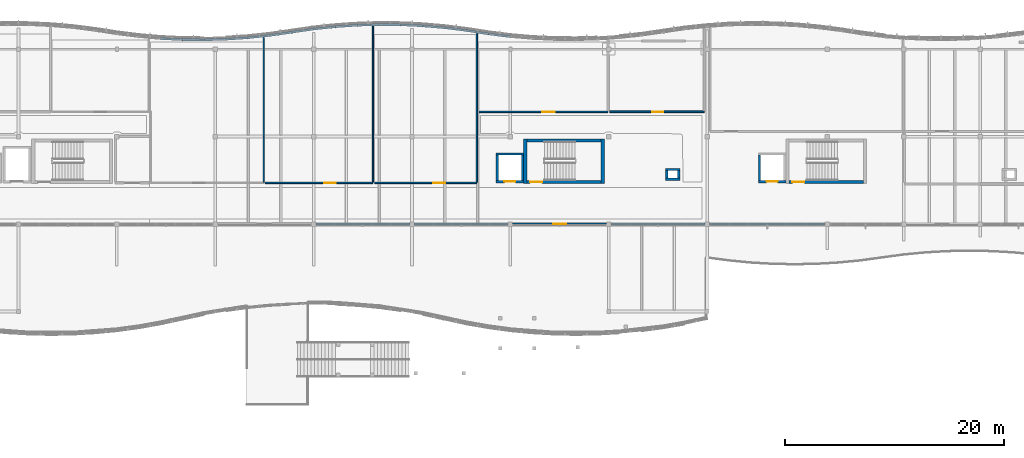
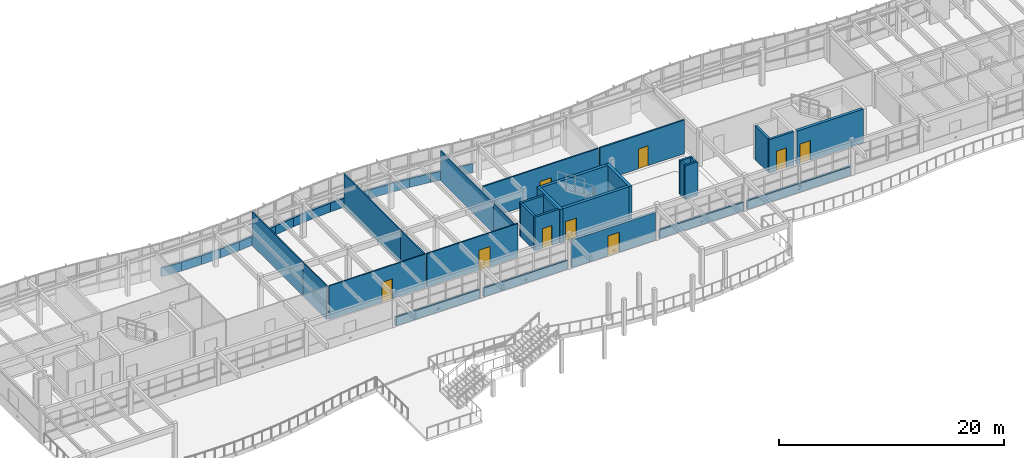
# One storey, part 41 of 63: 46 walls, 9 doors, 9 openings.
"""IFC4 building model written with IfcOpenShell, lengths in metres."""

from ifc_helpers import new_model, si_unit, direction, frame, frame_2d, origin, place, context, subcontext, project, spatial, rectangle, extrude, material, layer, layer_set, type_object, element, fill, save


model = new_model("IFC4")

# Units and contexts
model_context = context("Model", 3, precision=1e-05, world=origin(), true_north=direction((0.0, 1.0)))
body_context = subcontext(model_context, "Body", "Model", "MODEL_VIEW")
ifc_project = project(units=[si_unit("LENGTHUNIT", "METRE"), si_unit("AREAUNIT", "SQUARE_METRE"), si_unit("VOLUMEUNIT", "CUBIC_METRE"), si_unit("PLANEANGLEUNIT", "RADIAN"), si_unit("MASSUNIT", "GRAM", prefix="KILO")], contexts=[model_context])

# Site, building, storey
site_placement = place(None, origin())
site = spatial("IfcSite", under=ifc_project, at=site_placement, CompositionType="ELEMENT")
building_placement = place(site_placement, origin())
building = spatial("IfcBuilding", under=site, at=building_placement, Name="Tonlespit Floodbar School", CompositionType="ELEMENT")
storey_placement = place(building_placement, frame((0.0, 0.0, 8.39990234375)))
storey = spatial("IfcBuildingStorey", under=building, at=storey_placement, Name="L02", CompositionType="ELEMENT", Elevation=8.39990234375)

# Walls
ifc_material_1 = material(Name="Concrete C40/50", Category="concrete")
ifc_layer_1 = layer(ifc_material_1, 0.300048828125)
ifc_layer_set_1 = layer_set([ifc_layer_1], Name="Concrete C40/50")
wall_type_1 = type_object("IfcWallType", Name="CoreWall_RC_300", PredefinedType="SHEAR", material=ifc_layer_set_1)
for number, where, z_axis, x_axis, name in (
    (1, (99.35009765625, 107.699951171875, 0.0), (0.0, 0.0, 1.0), (0.0, 1.0, 0.0), "L02 core C2 shear wall NEAR"),
    (2, (106.449951171875, 111.800048828125, 0.0), (0.0, 0.0, 1.0), (0.0, -1.0, 0.0), "L02 core C2 shear wall FAR"),
):
    element("IfcWall", number, at=place(storey_placement, frame(where, z_axis=z_axis, x_axis=x_axis)), inside=storey, type_object=wall_type_1, Name=name, PredefinedType="SHEAR", context=body_context, shape_type="SweptSolid", body=[
        extrude(rectangle(XDim=4.10009765625, YDim=0.300048828125, at=frame_2d((2.050048828125, 0.0))), origin(), (0.0, 0.0, 1.0), 3.650146484375),
    ])

# Wall, opening, door
wall_1_placement = place(storey_placement, frame((99.5, 107.85009765625, 0.0), z_axis=(0.0, 0.0, 1.0), x_axis=(1.0, 0.0, 0.0)))
wall_1 = element("IfcWall", 3, at=wall_1_placement, inside=storey, type_object=wall_type_1, Name="L02 core C2 shear wall LEFT", PredefinedType="SHEAR", context=body_context, shape_type="SweptSolid", body=[
    extrude(rectangle(XDim=6.800048828125, YDim=0.300048828125, at=frame_2d((3.39990234375, 0.0))), origin(), (0.0, 0.0, 1.0), 3.650146484375),
])
opening_1_placement = place(wall_1_placement, frame((0.300048828125, 0.0, 0.0)))
opening_1 = element("IfcOpeningElement", 4, at=opening_1_placement, cuts=wall_1, Name="Opening FD1-C2-L02", PredefinedType="OPENING", context=body_context, shape_type="SweptSolid", body=[
    extrude(rectangle(XDim=1.10009765625, YDim=2.14990234375, at=frame_2d((0.550048828125, 1.074951171875))), frame((0.0, 0.159912109375, 0.0), z_axis=(0.0, -1.0, 0.0), x_axis=(1.0, 0.0, 0.0)), (0.0, 0.0, 1.0), 0.320068359375),
])
ifc_material_2 = material(Name="Galvanised Steel", Category="steel")
door_type_1 = type_object("IfcDoorType", Name="FireDoor_Stair_1100x2150", OperationType="NOTDEFINED", PredefinedType="DOOR", material=ifc_material_2)
door_1_placement = place(opening_1_placement, origin())
door_1 = element("IfcDoor", 5, at=door_1_placement, inside=storey, type_object=door_type_1, Name="L02 stair ST-C2 fire door", OperationType="SINGLE_SWING_LEFT", OverallHeight=2.14990234375, OverallWidth=1.10009765625, PredefinedType="DOOR", context=body_context, shape_type="SweptSolid", body=[
    extrude(rectangle(XDim=1.10009765625, YDim=2.14990234375, at=frame_2d((0.550048828125, 1.074951171875))), frame((0.0, 0.02490234375, 0.0), z_axis=(0.0, -1.0, 0.0), x_axis=(1.0, 0.0, 0.0)), (0.0, 0.0, 1.0), 0.050048828125),
])
fill(opening_1, door_1)

# Wall
wall_2_placement = place(storey_placement, frame((106.300048828125, 111.64990234375, 0.0), z_axis=(0.0, 0.0, 1.0), x_axis=(-1.0, 0.0, 0.0)))
element("IfcWall", 6, at=wall_2_placement, inside=storey, type_object=wall_type_1, Name="L02 core C2 shear wall RGHT", PredefinedType="SHEAR", context=body_context, shape_type="SweptSolid", body=[
    extrude(rectangle(XDim=6.800048828125, YDim=0.300048828125, at=frame_2d((3.39990234375, 0.0))), origin(), (0.0, 0.0, 1.0), 3.650146484375),
])

# Wall, opening, door
wall_3_placement = place(storey_placement, frame((123.5, 107.85009765625, 0.0), z_axis=(0.0, 0.0, 1.0), x_axis=(1.0, 0.0, 0.0)))
wall_3 = element("IfcWall", 7, at=wall_3_placement, inside=storey, type_object=wall_type_1, Name="L02 core C4 shear wall LEFT", PredefinedType="SHEAR", context=body_context, shape_type="SweptSolid", body=[
    extrude(rectangle(XDim=6.800048828125, YDim=0.300048828125, at=frame_2d((3.39990234375, 0.0))), origin(), (0.0, 0.0, 1.0), 3.650146484375),
])
opening_2_placement = place(wall_3_placement, frame((0.300048828125, 0.0, 0.0)))
opening_2 = element("IfcOpeningElement", 8, at=opening_2_placement, cuts=wall_3, Name="Opening FD1-C4-L02", PredefinedType="OPENING", context=body_context, shape_type="SweptSolid", body=[
    extrude(rectangle(XDim=1.10009765625, YDim=2.14990234375, at=frame_2d((0.550048828125, 1.074951171875))), frame((0.0, 0.159912109375, 0.0), z_axis=(0.0, -1.0, 0.0), x_axis=(1.0, 0.0, 0.0)), (0.0, 0.0, 1.0), 0.320068359375),
])
door_2_placement = place(opening_2_placement, origin())
door_2 = element("IfcDoor", 9, at=door_2_placement, inside=storey, type_object=door_type_1, Name="L02 stair ST-C4 fire door", OperationType="SINGLE_SWING_LEFT", OverallHeight=2.14990234375, OverallWidth=1.10009765625, PredefinedType="DOOR", context=body_context, shape_type="SweptSolid", body=[
    extrude(rectangle(XDim=1.10009765625, YDim=2.14990234375, at=frame_2d((0.550048828125, 1.074951171875))), frame((0.0, 0.02490234375, 0.0), z_axis=(0.0, -1.0, 0.0), x_axis=(1.0, 0.0, 0.0)), (0.0, 0.0, 1.0), 0.050048828125),
])
fill(opening_2, door_2)

ifc_material_3 = material(Name="Precast concrete C40/50", Category="concrete")
ifc_layer_2 = layer(ifc_material_3, 0.239990234375)
ifc_layer_set_2 = layer_set([ifc_layer_2], Name="Precast concrete C40/50")
wall_type_2 = type_object("IfcWallType", Name="ExtWall_Rainscreen_240", PredefinedType="SOLIDWALL", material=ifc_layer_set_2)
wall_4_placement = place(storey_placement, frame((106.800048828125, 104.0, 0.0), z_axis=(0.0, 0.0, 1.0), x_axis=(-1.0, 0.0, 0.0)))
wall_4 = element("IfcWall", 10, at=wall_4_placement, inside=storey, type_object=wall_type_2, Name="L02 external wall 0132", PredefinedType="SOLIDWALL", context=body_context, shape_type="SweptSolid", body=[
    extrude(rectangle(XDim=8.60009765625, YDim=0.239990234375, at=frame_2d((4.300048828125, 0.0))), origin(), (0.0, 0.0, 1.0), 3.008056640625),
])
opening_3_placement = place(wall_4_placement, frame((3.699951171875, 0.0, 0.0)))
opening_3 = element("IfcOpeningElement", 11, at=opening_3_placement, cuts=wall_4, Name="Opening D-TR-006", PredefinedType="OPENING", context=body_context, shape_type="SweptSolid", body=[
    extrude(rectangle(XDim=1.199951171875, YDim=2.14990234375, at=frame_2d((0.60009765625, 1.074951171875))), frame((0.0, 0.1298828125, 0.0), z_axis=(0.0, -1.0, 0.0), x_axis=(1.0, 0.0, 0.0)), (0.0, 0.0, 1.0), 0.260009765625),
])
ifc_material_4 = material(Name="Anodised Aluminium", Category="aluminium")
door_type_2 = type_object("IfcDoorType", Name="ExtDoor_Terrace_1200x2150", OperationType="NOTDEFINED", PredefinedType="DOOR", material=ifc_material_4)
door_3_placement = place(opening_3_placement, origin())
door_3 = element("IfcDoor", 12, at=door_3_placement, inside=storey, type_object=door_type_2, Name="L02 exterior door D-TR-006", OperationType="SINGLE_SWING_RIGHT", OverallHeight=2.14990234375, OverallWidth=1.199951171875, PredefinedType="DOOR", context=body_context, shape_type="SweptSolid", body=[
    extrude(rectangle(XDim=1.199951171875, YDim=2.14990234375, at=frame_2d((0.60009765625, 1.074951171875))), frame((0.0, 0.02490234375, 0.0), z_axis=(0.0, -1.0, 0.0), x_axis=(1.0, 0.0, 0.0)), (0.0, 0.0, 1.0), 0.050048828125),
])
fill(opening_3, door_3)

# Walls
ifc_material_5 = material(Name="White Architectural Precast concrete C40/50", Category="concrete")
ifc_layer_3 = layer(ifc_material_5, 0.199951171875)
ifc_layer_set_3 = layer_set([ifc_layer_3], Name="White Architectural Precast concrete C40/50")
wall_type_3 = type_object("IfcWallType", Name="ExtWall_Spandrel_White_200", PredefinedType="SOLIDWALL", material=ifc_layer_set_3)
wall_5_placement = place(storey_placement, frame((66.0, 120.968505859375, 0.0), z_axis=(0.0, 0.0, 1.0), x_axis=(0.99884540439, -0.048040172037, 0.0)))
element("IfcWall", 13, at=wall_5_placement, inside=storey, type_object=wall_type_3, Name="L02 spandrel wall 0106", PredefinedType="SOLIDWALL", context=body_context, shape_type="SweptSolid", body=[
    extrude(rectangle(XDim=2.002197265625, YDim=0.199951171875, at=frame_2d((1.0009765625, 0.0))), origin(), (0.0, 0.0, 1.0), 0.9501953125),
])
wall_6_placement = place(storey_placement, frame((68.0, 120.872314453125, 0.0), z_axis=(0.0, 0.0, 1.0), x_axis=(0.999953504169, -0.009643106302, 0.0)))
element("IfcWall", 14, at=wall_6_placement, inside=storey, type_object=wall_type_3, Name="L02 spandrel wall 0107", PredefinedType="SOLIDWALL", context=body_context, shape_type="SweptSolid", body=[
    extrude(rectangle(XDim=2.0, YDim=0.199951171875, at=frame_2d((1.0, 0.0))), origin(), (0.0, 0.0, 1.0), 0.9501953125),
])
wall_7_placement = place(storey_placement, frame((70.0, 120.85302734375, 0.0), z_axis=(0.0, 0.0, 1.0), x_axis=(0.999585290582, 0.028796646555, 0.0)))
element("IfcWall", 15, at=wall_7_placement, inside=storey, type_object=wall_type_3, Name="L02 spandrel wall 0108", PredefinedType="SOLIDWALL", context=body_context, shape_type="SweptSolid", body=[
    extrude(rectangle(XDim=2.000732421875, YDim=0.199951171875, at=frame_2d((1.00048828125, 0.0))), origin(), (0.0, 0.0, 1.0), 0.9501953125),
])
wall_8_placement = place(storey_placement, frame((72.0, 120.91064453125, 0.0), z_axis=(0.0, 0.0, 1.0), x_axis=(0.997729302978, 0.067351599676, 0.0)))
element("IfcWall", 16, at=wall_8_placement, inside=storey, type_object=wall_type_3, Name="L02 spandrel wall 0109", PredefinedType="SOLIDWALL", context=body_context, shape_type="SweptSolid", body=[
    extrude(rectangle(XDim=2.004638671875, YDim=0.199951171875, at=frame_2d((1.00244140625, 0.0))), origin(), (0.0, 0.0, 1.0), 0.9501953125),
])
wall_9_placement = place(storey_placement, frame((74.0, 121.045654296875, 0.0), z_axis=(0.0, 0.0, 1.0), x_axis=(0.994395160059, 0.105727317433, 0.0)))
element("IfcWall", 17, at=wall_9_placement, inside=storey, type_object=wall_type_3, Name="L02 spandrel wall 0110", PredefinedType="SOLIDWALL", context=body_context, shape_type="SweptSolid", body=[
    extrude(rectangle(XDim=2.01123046875, YDim=0.199951171875, at=frame_2d((1.005615234375, 0.0))), origin(), (0.0, 0.0, 1.0), 0.9501953125),
])
for number, where, z_axis, x_axis, name in (
    (18, (76.0, 121.25830078125, 0.0), (0.0, 0.0, 1.0), (0.989527230727, 0.144346318447, 0.0), "L02 spandrel wall 0111"),
    (19, (78.0, 121.550048828125, 0.0), (0.0, 0.0, 1.0), (0.989544477223, 0.144228040259, 0.0), "L02 spandrel wall 0112"),
):
    element("IfcWall", number, at=place(storey_placement, frame(where, z_axis=z_axis, x_axis=x_axis)), inside=storey, type_object=wall_type_3, Name=name, PredefinedType="SOLIDWALL", context=body_context, shape_type="SweptSolid", body=[
        extrude(rectangle(XDim=2.021240234375, YDim=0.199951171875, at=frame_2d((1.0107421875, 0.0))), origin(), (0.0, 0.0, 1.0), 0.9501953125),
    ])
wall_10_placement = place(storey_placement, frame((80.0, 121.841552734375, 0.0), z_axis=(0.0, 0.0, 1.0), x_axis=(0.994395160059, 0.105727317433, 0.0)))
element("IfcWall", 20, at=wall_10_placement, inside=storey, type_object=wall_type_3, Name="L02 spandrel wall 0113", PredefinedType="SOLIDWALL", context=body_context, shape_type="SweptSolid", body=[
    extrude(rectangle(XDim=2.01123046875, YDim=0.199951171875, at=frame_2d((1.005615234375, 0.0))), origin(), (0.0, 0.0, 1.0), 0.9501953125),
])
wall_11_placement = place(storey_placement, frame((82.0, 122.05419921875, 0.0), z_axis=(0.0, 0.0, 1.0), x_axis=(0.997729302978, 0.067351599676, 0.0)))
element("IfcWall", 21, at=wall_11_placement, inside=storey, type_object=wall_type_3, Name="L02 spandrel wall 0114", PredefinedType="SOLIDWALL", context=body_context, shape_type="SweptSolid", body=[
    extrude(rectangle(XDim=2.004638671875, YDim=0.199951171875, at=frame_2d((1.00244140625, 0.0))), origin(), (0.0, 0.0, 1.0), 0.9501953125),
])
wall_12_placement = place(storey_placement, frame((84.0, 122.189208984375, 0.0), z_axis=(0.0, 0.0, 1.0), x_axis=(0.999581770858, 0.028918564416, 0.0)))
element("IfcWall", 22, at=wall_12_placement, inside=storey, type_object=wall_type_3, Name="L02 spandrel wall 0115", PredefinedType="SOLIDWALL", context=body_context, shape_type="SweptSolid", body=[
    extrude(rectangle(XDim=2.000732421875, YDim=0.199951171875, at=frame_2d((1.00048828125, 0.0))), origin(), (0.0, 0.0, 1.0), 0.9501953125),
])
wall_13_placement = place(storey_placement, frame((86.0, 122.2470703125, 0.0), z_axis=(0.0, 0.0, 1.0), x_axis=(0.999953504169, -0.009643106302, 0.0)))
element("IfcWall", 23, at=wall_13_placement, inside=storey, type_object=wall_type_3, Name="L02 spandrel wall 0116", PredefinedType="SOLIDWALL", context=body_context, shape_type="SweptSolid", body=[
    extrude(rectangle(XDim=2.0, YDim=0.199951171875, at=frame_2d((1.0, 0.0))), origin(), (0.0, 0.0, 1.0), 0.9501953125),
])
wall_14_placement = place(storey_placement, frame((88.0, 122.227783203125, 0.0), z_axis=(0.0, 0.0, 1.0), x_axis=(0.99884540439, -0.048040172037, 0.0)))
element("IfcWall", 24, at=wall_14_placement, inside=storey, type_object=wall_type_3, Name="L02 spandrel wall 0117", PredefinedType="SOLIDWALL", context=body_context, shape_type="SweptSolid", body=[
    extrude(rectangle(XDim=2.002197265625, YDim=0.199951171875, at=frame_2d((1.0009765625, 0.0))), origin(), (0.0, 0.0, 1.0), 0.9501953125),
])
wall_15_placement = place(storey_placement, frame((90.0, 122.131591796875, 0.0), z_axis=(0.0, 0.0, 1.0), x_axis=(0.996244237948, -0.086587633962, 0.0)))
element("IfcWall", 25, at=wall_15_placement, inside=storey, type_object=wall_type_3, Name="L02 spandrel wall 0118", PredefinedType="SOLIDWALL", context=body_context, shape_type="SweptSolid", body=[
    extrude(rectangle(XDim=2.007568359375, YDim=0.199951171875, at=frame_2d((1.00390625, 0.0))), origin(), (0.0, 0.0, 1.0), 0.9501953125),
])
wall_16_placement = place(storey_placement, frame((92.0, 121.957763671875, 0.0), z_axis=(0.0, 0.0, 1.0), x_axis=(0.992158168336, -0.124988675503, 0.0)))
element("IfcWall", 26, at=wall_16_placement, inside=storey, type_object=wall_type_3, Name="L02 spandrel wall 0119", PredefinedType="SOLIDWALL", context=body_context, shape_type="SweptSolid", body=[
    extrude(rectangle(XDim=2.015869140625, YDim=0.199951171875, at=frame_2d((1.0078125, 0.0))), origin(), (0.0, 0.0, 1.0), 0.9501953125),
])
wall_17_placement = place(storey_placement, frame((94.0, 121.705810546875, 0.0), z_axis=(0.0, 0.0, 1.0), x_axis=(0.988085509852, -0.153905897287, 0.0)))
element("IfcWall", 27, at=wall_17_placement, inside=storey, type_object=wall_type_3, Name="L02 spandrel wall 0120", PredefinedType="SOLIDWALL", context=body_context, shape_type="SweptSolid", body=[
    extrude(rectangle(XDim=2.024169921875, YDim=0.199951171875, at=frame_2d((1.01220703125, 0.0))), origin(), (0.0, 0.0, 1.0), 0.9501953125),
])
wall_18_placement = place(storey_placement, frame((96.0, 121.394287109375, 0.0), z_axis=(0.0, 0.0, 1.0), x_axis=(0.992158168336, -0.124988675503, 0.0)))
element("IfcWall", 28, at=wall_18_placement, inside=storey, type_object=wall_type_3, Name="L02 spandrel wall 0121", PredefinedType="SOLIDWALL", context=body_context, shape_type="SweptSolid", body=[
    extrude(rectangle(XDim=2.015869140625, YDim=0.199951171875, at=frame_2d((1.0078125, 0.0))), origin(), (0.0, 0.0, 1.0), 0.9501953125),
])
for number, where, z_axis, x_axis, name in (
    (29, (115.800048828125, 104.0, 0.0), (0.0, 0.0, 1.0), (-1.0, 0.0, 0.0), "L02 spandrel wall 0131"),
    (30, (97.800048828125, 104.0, 0.0), (0.0, 0.0, 1.0), (-1.0, 0.0, 0.0), "L02 spandrel wall 0133"),
    (31, (88.800048828125, 104.0, 0.0), (0.0, 0.0, 1.0), (-1.0, 0.0, 0.0), "L02 spandrel wall 0134"),
):
    element("IfcWall", number, at=place(storey_placement, frame(where, z_axis=z_axis, x_axis=x_axis)), inside=storey, type_object=wall_type_3, Name=name, PredefinedType="SOLIDWALL", context=body_context, shape_type="SweptSolid", body=[
        extrude(rectangle(XDim=8.60009765625, YDim=0.199951171875, at=frame_2d((4.300048828125, 0.0))), origin(), (0.0, 0.0, 1.0), 0.9501953125),
    ])
wall_19_placement = place(storey_placement, frame((126.800048828125, 104.0, 0.0), z_axis=(0.0, 0.0, 1.0), x_axis=(-1.0, 0.0, 0.0)))
element("IfcWall", 32, at=wall_19_placement, inside=storey, type_object=wall_type_3, Name="L02 spandrel wall 0629", PredefinedType="SOLIDWALL", context=body_context, shape_type="SweptSolid", body=[
    extrude(rectangle(XDim=10.60009765625, YDim=0.199951171875, at=frame_2d((5.300048828125, 0.0))), origin(), (0.0, 0.0, 1.0), 0.9501953125),
])

# Wall, opening, door
ifc_material_6 = material(Name="Gypsum Plasterboard Partition")
ifc_layer_4 = layer(ifc_material_6, 0.159912109375)
ifc_layer_set_4 = layer_set([ifc_layer_4], Name="Gypsum Plasterboard Partition")
wall_type_4 = type_object("IfcWallType", Name="FireWall_Lab_160", PredefinedType="PARTITIONING", material=ifc_layer_set_4)
wall_20_placement = place(storey_placement, frame((107.070068359375, 114.27001953125, 0.0), z_axis=(0.0, 0.0, 1.0), x_axis=(1.0, 0.0, 0.0)))
wall_20 = element("IfcWall", 33, at=wall_20_placement, inside=storey, type_object=wall_type_4, Name="L02 partition wall 0077", PredefinedType="PARTITIONING", context=body_context, shape_type="SweptSolid", body=[
    extrude(rectangle(XDim=8.659912109375, YDim=0.159912109375, at=frame_2d((4.330078125, 0.0))), origin(), (0.0, 0.0, 1.0), 3.650146484375),
])
opening_4_placement = place(wall_20_placement, frame((3.929931640625, 0.0, 0.0)))
opening_4 = element("IfcOpeningElement", 34, at=opening_4_placement, cuts=wall_20, Name="Opening D-L02-025", PredefinedType="OPENING", context=body_context, shape_type="SweptSolid", body=[
    extrude(rectangle(XDim=1.0, YDim=2.14990234375, at=frame_2d((0.5, 1.074951171875))), frame((0.0, 0.08984375, 0.0), z_axis=(0.0, -1.0, 0.0), x_axis=(1.0, 0.0, 0.0)), (0.0, 0.0, 1.0), 0.179931640625),
])
ifc_material_7 = material(Name="Hardwood Timber", Category="wood")
door_type_3 = type_object("IfcDoorType", Name="FireDoor_Compartment_1000x2150", OperationType="NOTDEFINED", PredefinedType="DOOR", material=ifc_material_7)
door_4_placement = place(opening_4_placement, origin())
door_4 = element("IfcDoor", 35, at=door_4_placement, inside=storey, type_object=door_type_3, Name="L02 interior door D-L02-025", OperationType="SINGLE_SWING_RIGHT", OverallHeight=2.14990234375, OverallWidth=1.0, PredefinedType="DOOR", context=body_context, shape_type="SweptSolid", body=[
    extrude(rectangle(XDim=1.0, YDim=2.14990234375, at=frame_2d((0.5, 1.074951171875))), frame((0.0, 0.02490234375, 0.0), z_axis=(0.0, -1.0, 0.0), x_axis=(1.0, 0.0, 0.0)), (0.0, 0.0, 1.0), 0.050048828125),
])
fill(opening_4, door_4)

# Walls
ifc_layer_5 = layer(ifc_material_1, 0.199951171875)
ifc_layer_set_5 = layer_set([ifc_layer_5], Name="Concrete C40/50")
wall_type_5 = type_object("IfcWallType", Name="FireWall_Plant_200", PredefinedType="PARTITIONING", material=ifc_layer_set_5)
for number, where, z_axis, x_axis, name in (
    (36, (113.5, 108.10009765625, 0.0), (0.0, 0.0, 1.0), (-1.0, 0.0, 0.0), "L02 service riser 02 wall S"),
    (37, (112.199951171875, 109.0, 0.0), (0.0, 0.0, 1.0), (1.0, 0.0, 0.0), "L02 service riser 02 wall N"),
):
    element("IfcWall", number, at=place(storey_placement, frame(where, z_axis=z_axis, x_axis=x_axis)), inside=storey, type_object=wall_type_5, Name=name, PredefinedType="PARTITIONING", context=body_context, shape_type="SweptSolid", body=[
        extrude(rectangle(XDim=1.300048828125, YDim=0.199951171875, at=frame_2d((0.64990234375, 0.0))), origin(), (0.0, 0.0, 1.0), 3.650146484375),
    ])
for number, where, z_axis, x_axis, name in (
    (38, (112.300048828125, 108.199951171875, 0.0), (0.0, 0.0, 1.0), (0.0, 1.0, 0.0), "L02 service riser 02 wall W"),
    (39, (113.39990234375, 108.89990234375, 0.0), (0.0, 0.0, 1.0), (0.0, -1.0, 0.0), "L02 service riser 02 wall E"),
):
    element("IfcWall", number, at=place(storey_placement, frame(where, z_axis=z_axis, x_axis=x_axis)), inside=storey, type_object=wall_type_5, Name=name, PredefinedType="PARTITIONING", context=body_context, shape_type="SweptSolid", body=[
        extrude(rectangle(XDim=0.699951171875, YDim=0.199951171875, at=frame_2d((0.35009765625, 0.0))), origin(), (0.0, 0.0, 1.0), 3.650146484375),
    ])
ifc_layer_6 = layer(ifc_material_6, 0.110107421875)
ifc_layer_set_6 = layer_set([ifc_layer_6], Name="Gypsum Plasterboard Partition")
wall_type_6 = type_object("IfcWallType", Name="Partition_Gyp_110", PredefinedType="PARTITIONING", material=ifc_layer_set_6)
wall_21_placement = place(storey_placement, frame((75.429931640625, 107.840087890625, 0.0), z_axis=(0.0, 0.0, 1.0), x_axis=(0.0, 1.0, 0.0)))
element("IfcWall", 40, at=wall_21_placement, inside=storey, type_object=wall_type_6, Name="L02 partition wall 0067", PredefinedType="PARTITIONING", context=body_context, shape_type="SweptSolid", body=[
    extrude(rectangle(XDim=4.159912109375, YDim=0.110107421875, at=frame_2d((2.080078125, 0.0))), origin(), (0.0, 0.0, 1.0), 3.650146484375),
])
wall_22_placement = place(storey_placement, frame((75.429931640625, 112.0, 0.0), z_axis=(0.0, 0.0, 1.0), x_axis=(0.0, 1.0, 0.0)))
element("IfcWall", 41, at=wall_22_placement, inside=storey, type_object=wall_type_6, Name="L02 partition wall 0068", PredefinedType="PARTITIONING", context=body_context, shape_type="SweptSolid", body=[
    extrude(rectangle(XDim=9.055908203125, YDim=0.110107421875, at=frame_2d((4.52783203125, 0.0))), origin(), (0.0, 0.0, 1.0), 3.650146484375),
])

# Wall, opening, door
ifc_layer_7 = layer(ifc_material_6, 0.1201171875)
ifc_layer_set_7 = layer_set([ifc_layer_7], Name="Gypsum Plasterboard Partition")
wall_type_7 = type_object("IfcWallType", Name="Partition_Gyp_120", PredefinedType="PARTITIONING", material=ifc_layer_set_7)
wall_23_placement = place(storey_placement, frame((75.570068359375, 107.77001953125, 0.0), z_axis=(0.0, 0.0, 1.0), x_axis=(1.0, 0.0, 0.0)))
wall_23 = element("IfcWall", 42, at=wall_23_placement, inside=storey, type_object=wall_type_7, Name="L02 partition wall 0069", PredefinedType="PARTITIONING", context=body_context, shape_type="SweptSolid", body=[
    extrude(rectangle(XDim=9.85986328125, YDim=0.1201171875, at=frame_2d((4.929931640625, 0.0))), origin(), (0.0, 0.0, 1.0), 3.650146484375),
])
opening_5_placement = place(wall_23_placement, frame((5.389892578125, 0.0, 0.0)))
opening_5 = element("IfcOpeningElement", 43, at=opening_5_placement, cuts=wall_23, Name="Opening D-L02-022", PredefinedType="OPENING", context=body_context, shape_type="SweptSolid", body=[
    extrude(rectangle(XDim=1.080078125, YDim=2.14990234375, at=frame_2d((0.5400390625, 1.074951171875))), frame((0.0, 0.070068359375, 0.0), z_axis=(0.0, -1.0, 0.0), x_axis=(1.0, 0.0, 0.0)), (0.0, 0.0, 1.0), 0.14013671875),
])
door_type_4 = type_object("IfcDoorType", Name="IntDoor_1080x2150", OperationType="NOTDEFINED", PredefinedType="DOOR", material=ifc_material_7)
door_5_placement = place(opening_5_placement, origin())
door_5 = element("IfcDoor", 44, at=door_5_placement, inside=storey, type_object=door_type_4, Name="L02 interior door D-L02-022", OperationType="SINGLE_SWING_LEFT", OverallHeight=2.14990234375, OverallWidth=1.080078125, PredefinedType="DOOR", context=body_context, shape_type="SweptSolid", body=[
    extrude(rectangle(XDim=1.080078125, YDim=2.14990234375, at=frame_2d((0.5400390625, 1.074951171875))), frame((0.0, 0.02490234375, 0.0), z_axis=(0.0, -1.0, 0.0), x_axis=(1.0, 0.0, 0.0)), (0.0, 0.0, 1.0), 0.050048828125),
])
fill(opening_5, door_5)

# Walls
wall_24_placement = place(storey_placement, frame((85.429931640625, 107.844970703125, 0.0), z_axis=(0.0, 0.0, 1.0), x_axis=(0.0, 1.0, 0.0)))
element("IfcWall", 45, at=wall_24_placement, inside=storey, type_object=wall_type_7, Name="L02 partition wall 0070", PredefinedType="PARTITIONING", context=body_context, shape_type="SweptSolid", body=[
    extrude(rectangle(XDim=4.155029296875, YDim=0.1201171875, at=frame_2d((2.07763671875, 0.0))), origin(), (0.0, 0.0, 1.0), 3.650146484375),
])
wall_25_placement = place(storey_placement, frame((85.429931640625, 112.0, 0.0), z_axis=(0.0, 0.0, 1.0), x_axis=(0.0, 1.0, 0.0)))
element("IfcWall", 46, at=wall_25_placement, inside=storey, type_object=wall_type_7, Name="L02 partition wall 0071", PredefinedType="PARTITIONING", context=body_context, shape_type="SweptSolid", body=[
    extrude(rectangle(XDim=10.088623046875, YDim=0.1201171875, at=frame_2d((5.04443359375, 0.0))), origin(), (0.0, 0.0, 1.0), 3.650146484375),
])

# Wall, opening, door
ifc_layer_8 = layer(ifc_material_6, 0.1298828125)
ifc_layer_set_8 = layer_set([ifc_layer_8], Name="Gypsum Plasterboard Partition")
wall_type_8 = type_object("IfcWallType", Name="Partition_Gyp_130", PredefinedType="PARTITIONING", material=ifc_layer_set_8)
wall_26_placement = place(storey_placement, frame((85.570068359375, 107.77001953125, 0.0), z_axis=(0.0, 0.0, 1.0), x_axis=(1.0, 0.0, 0.0)))
wall_26 = element("IfcWall", 47, at=wall_26_placement, inside=storey, type_object=wall_type_8, Name="L02 partition wall 0072", PredefinedType="PARTITIONING", context=body_context, shape_type="SweptSolid", body=[
    extrude(rectangle(XDim=9.35986328125, YDim=0.1298828125, at=frame_2d((4.679931640625, 0.0))), origin(), (0.0, 0.0, 1.0), 3.650146484375),
])
opening_6_placement = place(wall_26_placement, frame((5.3701171875, 0.0, 0.0)))
opening_6 = element("IfcOpeningElement", 48, at=opening_6_placement, cuts=wall_26, Name="Opening D-L02-023", PredefinedType="OPENING", context=body_context, shape_type="SweptSolid", body=[
    extrude(rectangle(XDim=1.1201171875, YDim=2.14990234375, at=frame_2d((0.56005859375, 1.074951171875))), frame((0.0, 0.074951171875, 0.0), z_axis=(0.0, -1.0, 0.0), x_axis=(1.0, 0.0, 0.0)), (0.0, 0.0, 1.0), 0.14990234375),
])
door_type_5 = type_object("IfcDoorType", Name="IntDoor_1120x2150", OperationType="NOTDEFINED", PredefinedType="DOOR", material=ifc_material_7)
door_6_placement = place(opening_6_placement, origin())
door_6 = element("IfcDoor", 49, at=door_6_placement, inside=storey, type_object=door_type_5, Name="L02 interior door D-L02-023", OperationType="SINGLE_SWING_RIGHT", OverallHeight=2.14990234375, OverallWidth=1.1201171875, PredefinedType="DOOR", context=body_context, shape_type="SweptSolid", body=[
    extrude(rectangle(XDim=1.1201171875, YDim=2.14990234375, at=frame_2d((0.56005859375, 1.074951171875))), frame((0.0, 0.02490234375, 0.0), z_axis=(0.0, -1.0, 0.0), x_axis=(1.0, 0.0, 0.0)), (0.0, 0.0, 1.0), 0.050048828125),
])
fill(opening_6, door_6)

# Walls
wall_27_placement = place(storey_placement, frame((94.929931640625, 107.85009765625, 0.0), z_axis=(0.0, 0.0, 1.0), x_axis=(0.0, 1.0, 0.0)))
element("IfcWall", 50, at=wall_27_placement, inside=storey, type_object=wall_type_8, Name="L02 partition wall 0073", PredefinedType="PARTITIONING", context=body_context, shape_type="SweptSolid", body=[
    extrude(rectangle(XDim=4.14990234375, YDim=0.1298828125, at=frame_2d((2.074951171875, 0.0))), origin(), (0.0, 0.0, 1.0), 3.248046875),
])
wall_28_placement = place(storey_placement, frame((94.929931640625, 112.0, 0.0), z_axis=(0.0, 0.0, 1.0), x_axis=(0.0, 1.0, 0.0)))
element("IfcWall", 51, at=wall_28_placement, inside=storey, type_object=wall_type_8, Name="L02 partition wall 0074", PredefinedType="PARTITIONING", context=body_context, shape_type="SweptSolid", body=[
    extrude(rectangle(XDim=9.4189453125, YDim=0.1298828125, at=frame_2d((4.70947265625, 0.0))), origin(), (0.0, 0.0, 1.0), 3.25),
])

# Wall, opening, door
ifc_layer_9 = layer(ifc_material_6, 0.139892578125)
ifc_layer_set_9 = layer_set([ifc_layer_9], Name="Gypsum Plasterboard Partition")
wall_type_9 = type_object("IfcWallType", Name="Partition_Gyp_140", PredefinedType="PARTITIONING", material=ifc_layer_set_9)
wall_29_placement = place(storey_placement, frame((95.070068359375, 114.27001953125, 0.0), z_axis=(0.0, 0.0, 1.0), x_axis=(1.0, 0.0, 0.0)))
wall_29 = element("IfcWall", 52, at=wall_29_placement, inside=storey, type_object=wall_type_9, Name="L02 partition wall 0075", PredefinedType="PARTITIONING", context=body_context, shape_type="SweptSolid", body=[
    extrude(rectangle(XDim=11.85986328125, YDim=0.139892578125, at=frame_2d((5.929931640625, 0.0))), origin(), (0.0, 0.0, 1.0), 3.650146484375),
])
opening_7_placement = place(wall_29_placement, frame((5.85009765625, 0.0, 0.0)))
opening_7 = element("IfcOpeningElement", 53, at=opening_7_placement, cuts=wall_29, Name="Opening D-L02-024", PredefinedType="OPENING", context=body_context, shape_type="SweptSolid", body=[
    extrude(rectangle(XDim=1.159912109375, YDim=2.14990234375, at=frame_2d((0.580078125, 1.074951171875))), frame((0.0, 0.079833984375, 0.0), z_axis=(0.0, -1.0, 0.0), x_axis=(1.0, 0.0, 0.0)), (0.0, 0.0, 1.0), 0.159912109375),
])
door_type_6 = type_object("IfcDoorType", Name="IntDoor_1160x2150", OperationType="NOTDEFINED", PredefinedType="DOOR", material=ifc_material_7)
door_7_placement = place(opening_7_placement, origin())
door_7 = element("IfcDoor", 54, at=door_7_placement, inside=storey, type_object=door_type_6, Name="L02 interior door D-L02-024", OperationType="SINGLE_SWING_LEFT", OverallHeight=2.14990234375, OverallWidth=1.159912109375, PredefinedType="DOOR", context=body_context, shape_type="SweptSolid", body=[
    extrude(rectangle(XDim=1.159912109375, YDim=2.14990234375, at=frame_2d((0.580078125, 1.074951171875))), frame((0.0, 0.02490234375, 0.0), z_axis=(0.0, -1.0, 0.0), x_axis=(1.0, 0.0, 0.0)), (0.0, 0.0, 1.0), 0.050048828125),
])
fill(opening_7, door_7)

ifc_layer_10 = layer(ifc_material_1, 0.219970703125)
ifc_layer_set_10 = layer_set([ifc_layer_10], Name="Concrete C40/50")
wall_type_10 = type_object("IfcWallType", Name="ShaftWall_RC_220", PredefinedType="SHEAR", material=ifc_layer_set_10)
wall_30_placement = place(storey_placement, frame((99.219970703125, 107.889892578125, 0.0), z_axis=(0.0, 0.0, 1.0), x_axis=(-1.0, 0.0, 0.0)))
wall_30 = element("IfcWall", 55, at=wall_30_placement, inside=storey, type_object=wall_type_10, Name="L02 lift LP-2 shaft wall S", PredefinedType="SHEAR", context=body_context, shape_type="SweptSolid", body=[
    extrude(rectangle(XDim=2.5400390625, YDim=0.219970703125, at=frame_2d((1.27001953125, 0.0))), origin(), (0.0, 0.0, 1.0), 3.650146484375),
])
opening_8_placement = place(wall_30_placement, frame((0.77001953125, 0.0, 0.0)))
opening_8 = element("IfcOpeningElement", 56, at=opening_8_placement, cuts=wall_30, Name="Opening LD-LP-2-L02", PredefinedType="OPENING", context=body_context, shape_type="SweptSolid", body=[
    extrude(rectangle(XDim=1.0, YDim=2.14990234375, at=frame_2d((0.5, 1.074951171875))), frame((0.0, 0.119873046875, 0.0), z_axis=(0.0, -1.0, 0.0), x_axis=(1.0, 0.0, 0.0)), (0.0, 0.0, 1.0), 0.239990234375),
])
door_type_7 = type_object("IfcDoorType", Name="LiftDoor_Pass_1000x2150", OperationType="DOUBLE_DOOR_SLIDING", PredefinedType="DOOR", material=ifc_material_4)
door_8_placement = place(opening_8_placement, origin())
door_8 = element("IfcDoor", 57, at=door_8_placement, inside=storey, type_object=door_type_7, Name="L02 lift LP-2 sliding landing door", OperationType="DOUBLE_DOOR_SLIDING", OverallHeight=2.14990234375, OverallWidth=1.0, PredefinedType="DOOR", context=body_context, shape_type="SweptSolid", body=[
    extrude(rectangle(XDim=1.0, YDim=2.14990234375, at=frame_2d((0.5, 1.074951171875))), frame((0.0, 0.02490234375, 0.0), z_axis=(0.0, -1.0, 0.0), x_axis=(1.0, 0.0, 0.0)), (0.0, 0.0, 1.0), 0.050048828125),
])
fill(opening_8, door_8)

# Walls
wall_31_placement = place(storey_placement, frame((96.679931640625, 110.409912109375, 0.0), z_axis=(0.0, 0.0, 1.0), x_axis=(1.0, 0.0, 0.0)))
element("IfcWall", 58, at=wall_31_placement, inside=storey, type_object=wall_type_10, Name="L02 lift LP-2 shaft wall N", PredefinedType="SHEAR", context=body_context, shape_type="SweptSolid", body=[
    extrude(rectangle(XDim=2.5400390625, YDim=0.219970703125, at=frame_2d((1.27001953125, 0.0))), origin(), (0.0, 0.0, 1.0), 3.650146484375),
])
for number, where, z_axis, x_axis, name in (
    (59, (96.7900390625, 108.0, 0.0), (0.0, 0.0, 1.0), (0.0, 1.0, 0.0), "L02 lift LP-2 shaft wall W"),
    (60, (99.110107421875, 110.300048828125, 0.0), (0.0, 0.0, 1.0), (0.0, -1.0, 0.0), "L02 lift LP-2 shaft wall E"),
):
    element("IfcWall", number, at=place(storey_placement, frame(where, z_axis=z_axis, x_axis=x_axis)), inside=storey, type_object=wall_type_10, Name=name, PredefinedType="SHEAR", context=body_context, shape_type="SweptSolid", body=[
        extrude(rectangle(XDim=2.300048828125, YDim=0.219970703125, at=frame_2d((1.14990234375, 0.0))), origin(), (0.0, 0.0, 1.0), 3.650146484375),
    ])

# Wall, opening, door
wall_32_placement = place(storey_placement, frame((123.219970703125, 107.889892578125, 0.0), z_axis=(0.0, 0.0, 1.0), x_axis=(-1.0, 0.0, 0.0)))
wall_32 = element("IfcWall", 61, at=wall_32_placement, inside=storey, type_object=wall_type_10, Name="L02 lift LP-3 shaft wall S", PredefinedType="SHEAR", context=body_context, shape_type="SweptSolid", body=[
    extrude(rectangle(XDim=2.5400390625, YDim=0.219970703125, at=frame_2d((1.27001953125, 0.0))), origin(), (0.0, 0.0, 1.0), 3.650146484375),
])
opening_9_placement = place(wall_32_placement, frame((0.77001953125, 0.0, 0.0)))
opening_9 = element("IfcOpeningElement", 62, at=opening_9_placement, cuts=wall_32, Name="Opening LD-LP-3-L02", PredefinedType="OPENING", context=body_context, shape_type="SweptSolid", body=[
    extrude(rectangle(XDim=1.0, YDim=2.14990234375, at=frame_2d((0.5, 1.074951171875))), frame((0.0, 0.119873046875, 0.0), z_axis=(0.0, -1.0, 0.0), x_axis=(1.0, 0.0, 0.0)), (0.0, 0.0, 1.0), 0.239990234375),
])
door_9_placement = place(opening_9_placement, origin())
door_9 = element("IfcDoor", 63, at=door_9_placement, inside=storey, type_object=door_type_7, Name="L02 lift LP-3 sliding landing door", OperationType="DOUBLE_DOOR_SLIDING", OverallHeight=2.14990234375, OverallWidth=1.0, PredefinedType="DOOR", context=body_context, shape_type="SweptSolid", body=[
    extrude(rectangle(XDim=1.0, YDim=2.14990234375, at=frame_2d((0.5, 1.074951171875))), frame((0.0, 0.02490234375, 0.0), z_axis=(0.0, -1.0, 0.0), x_axis=(1.0, 0.0, 0.0)), (0.0, 0.0, 1.0), 0.050048828125),
])
fill(opening_9, door_9)

# Wall
wall_33_placement = place(storey_placement, frame((120.7900390625, 108.0, 0.0), z_axis=(0.0, 0.0, 1.0), x_axis=(0.0, 1.0, 0.0)))
element("IfcWall", 64, at=wall_33_placement, inside=storey, type_object=wall_type_10, Name="L02 lift LP-3 shaft wall W", PredefinedType="SHEAR", context=body_context, shape_type="SweptSolid", body=[
    extrude(rectangle(XDim=2.300048828125, YDim=0.219970703125, at=frame_2d((1.14990234375, 0.0))), origin(), (0.0, 0.0, 1.0), 3.650146484375),
])

save(model, "model.ifc")
